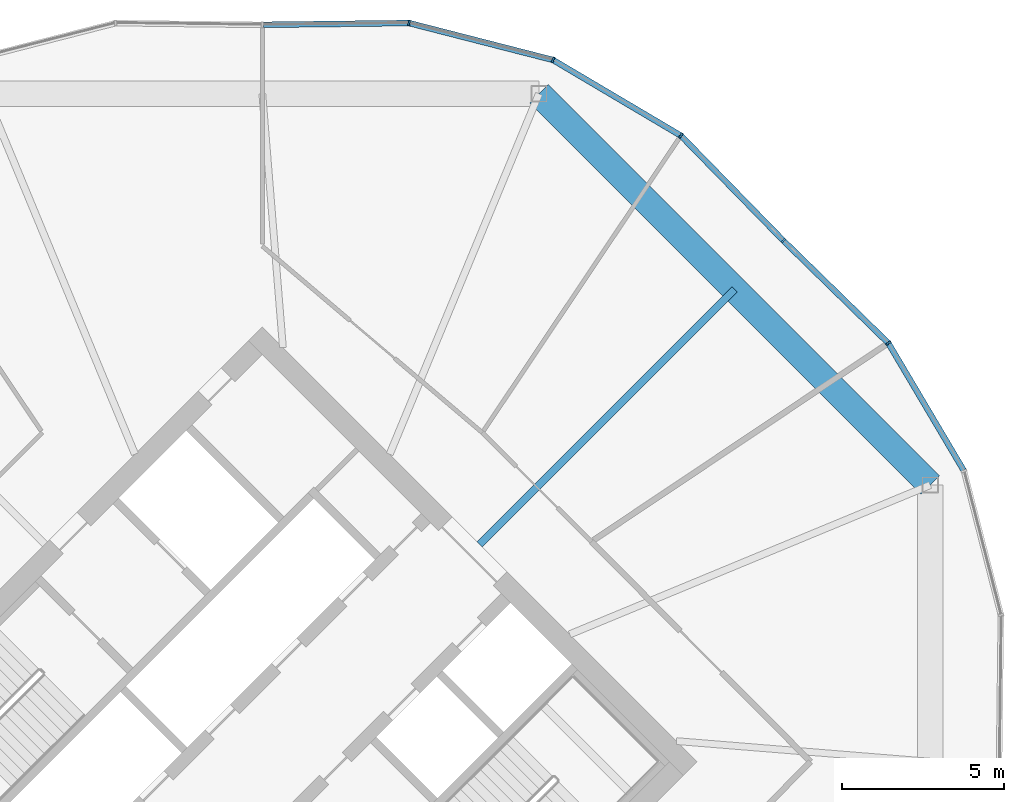
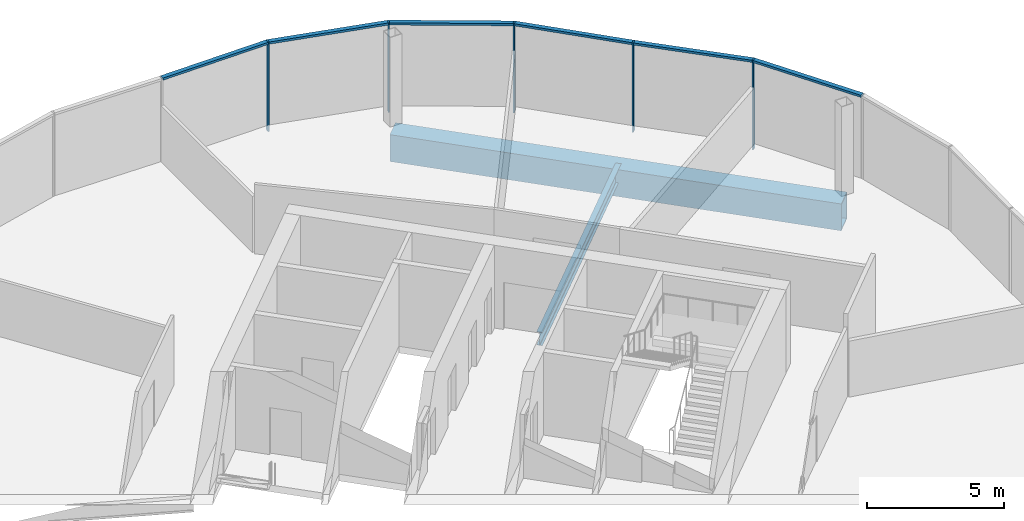
# One storey, part 16 of 25: 11 members, 2 beams, 2 elements without a shape of their own.
"""IFC4 building model written with IfcOpenShell, lengths in metres."""

from ifc_helpers import new_model, si_unit, direction, frame, origin, origin_2d, place, context, subcontext, project, spatial, rectangle, hollow_rectangle, i_section, extrude, material, material_profile, profile_set, type_object, element, aggregate, save


model = new_model("IFC4")

# Units and contexts
model_context = context("Model", 3, precision=1e-05, world=origin(), true_north=direction((0.0, 1.0)))
body_context = subcontext(model_context, "Body", "Model", "MODEL_VIEW")
ifc_project = project(units=[si_unit("LENGTHUNIT", "METRE"), si_unit("AREAUNIT", "SQUARE_METRE"), si_unit("VOLUMEUNIT", "CUBIC_METRE"), si_unit("PLANEANGLEUNIT", "RADIAN"), si_unit("MASSUNIT", "GRAM", prefix="KILO")], contexts=[model_context])

# Site, building, storey
site_placement = place(None, origin())
site = spatial("IfcSite", under=ifc_project, at=site_placement, CompositionType="ELEMENT")
building_placement = place(site_placement, origin())
building = spatial("IfcBuilding", under=site, at=building_placement, Name="Ogive Gate Towers", CompositionType="ELEMENT")
storey_placement = place(building_placement, frame((0.0, 0.0, 140.800048828125)))
storey = spatial("IfcBuildingStorey", under=building, at=storey_placement, Name="L33", CompositionType="ELEMENT", Elevation=140.800048828125)

# Beams
ifc_material_1 = material(Name="Steel SM460", Category="steel")
ifc_material_profile_1 = material_profile(ifc_material_1, hollow_rectangle(XDim=0.800048828125, YDim=1.199951171875, WallThickness=0.050048828125, at=origin_2d()), Name="BX 1200x800x50")
ifc_profile_set_1 = profile_set([ifc_material_profile_1], Name="Steel SM460")
beam_type_1 = type_object("IfcBeamType", Name="Edge girder BX 1200x800x50", PredefinedType="BEAM", material=ifc_profile_set_1)
beam_1_placement = place(storey_placement, frame((56.639404296875, 8.549072265625, -0.900146484375), z_axis=(-0.707106781187, 0.707106781187, 0.0), x_axis=(-0.707106781187, -0.707106781187, 0.0)))
element("IfcBeam", 1, at=beam_1_placement, inside=storey, type_object=beam_type_1, Name="T2/L33/SBM021", PredefinedType="BEAM", context=body_context, shape_type="SweptSolid", body=[
    extrude(hollow_rectangle(XDim=0.800048828125, YDim=1.199951171875, WallThickness=0.050048828125, at=origin_2d()), origin(), (0.0, 0.0, 1.0), 17.098388671875),
])
ifc_material_2 = material(Name="Steel SM355", Category="steel")
ifc_material_profile_2 = material_profile(ifc_material_2, i_section(OverallWidth=0.219970703125, OverallDepth=0.60009765625, WebThickness=0.011962890625, FlangeThickness=0.01904296875, FilletRadius=0.02392578125, at=origin_2d()), Name="IPE 600")
ifc_profile_set_2 = profile_set([ifc_material_profile_2], Name="Steel SM355")
beam_type_2 = type_object("IfcBeamType", Name="Radial floor beam IPE 600", PredefinedType="BEAM", material=ifc_profile_set_2)
beam_2_placement = place(storey_placement, frame((42.717529296875, 6.717529296875, -0.60009765625), z_axis=(0.707106781187, 0.707106781187, 0.0), x_axis=(-0.707106781187, 0.707106781187, 0.0)))
element("IfcBeam", 2, at=beam_2_placement, inside=storey, type_object=beam_type_2, Name="T2/L33/SBM010", PredefinedType="BEAM", context=body_context, shape_type="SweptSolid", body=[
    extrude(i_section(OverallWidth=0.219970703125, OverallDepth=0.60009765625, WebThickness=0.011962890625, FlangeThickness=0.01904296875, FilletRadius=0.02392578125, at=origin_2d()), origin(), (0.0, 0.0, 1.0), 11.139404296875),
])

# Curtain wall, members
ifc_material_3 = material(Name="Pale metal aluminium", Category="aluminium")
curtain_wall_type = type_object("IfcCurtainWallType", Name="Tower unitised wall, high zone", PredefinedType="NOTDEFINED", material=ifc_material_3)
curtain_wall_1_placement = place(storey_placement, origin())
curtain_wall_1 = element("IfcCurtainWall", 3, at=curtain_wall_1_placement, inside=storey, type_object=curtain_wall_type, Name="CW2 T2 ECW01", PredefinedType="NOTDEFINED")
ifc_material_profile_3 = material_profile(ifc_material_3, rectangle(XDim=0.179931640625, YDim=0.06005859375, at=origin_2d()), Name="60 x 180 aluminium box")
ifc_profile_set_3 = profile_set([ifc_material_profile_3], Name="Pale metal aluminium")
member_type_1 = type_object("IfcMemberType", Name="Tower unitised wall, high zone mullion 60 x 180", PredefinedType="MULLION", material=ifc_profile_set_3)
member_1_placement = place(storey_placement, frame((55.344970703125, 12.93408203125, -0.300048828125), z_axis=(0.0, 0.0, 1.0), x_axis=(0.786320782112, 0.617818442277, 0.0)))
member_1 = element("IfcMember", 4, at=member_1_placement, type_object=member_type_1, Name="CW2 mullion", PredefinedType="MULLION", context=body_context, shape_type="SweptSolid", body=[
    extrude(rectangle(XDim=0.179931640625, YDim=0.06005859375, at=origin_2d()), origin(), (0.0, 0.0, 1.0), 4.0),
])
member_2_placement = place(storey_placement, frame((52.100830078125, 16.1005859375, -0.300048828125), z_axis=(0.0, 0.0, 1.0), x_axis=(0.69851520818, 0.715595209557, 0.0)))
member_2 = element("IfcMember", 5, at=member_2_placement, type_object=member_type_1, Name="CW2 mullion", PredefinedType="MULLION", context=body_context, shape_type="SweptSolid", body=[
    extrude(rectangle(XDim=0.179931640625, YDim=0.06005859375, at=origin_2d()), origin(), (0.0, 0.0, 1.0), 4.0),
])

curtain_wall_2_placement = place(storey_placement, origin())
curtain_wall_2 = element("IfcCurtainWall", 6, at=curtain_wall_2_placement, inside=storey, type_object=curtain_wall_type, Name="CW2 T2 ECW02", PredefinedType="NOTDEFINED")
member_3_placement = place(storey_placement, frame((48.93408203125, 19.344970703125, -0.300048828125), z_axis=(0.0, 0.0, 1.0), x_axis=(0.617818442277, 0.786320782112, 0.0)))
member_3 = element("IfcMember", 7, at=member_3_placement, type_object=member_type_1, Name="CW2 mullion", PredefinedType="MULLION", context=body_context, shape_type="SweptSolid", body=[
    extrude(rectangle(XDim=0.179931640625, YDim=0.06005859375, at=origin_2d()), origin(), (0.0, 0.0, 1.0), 4.0),
])
member_4_placement = place(storey_placement, frame((44.98193359375, 21.684326171875, -0.300048828125), z_axis=(0.0, 0.0, 1.0), x_axis=(0.382683432365, 0.923879532511, 0.0)))
member_4 = element("IfcMember", 8, at=member_4_placement, type_object=member_type_1, Name="CW2 mullion", PredefinedType="MULLION", context=body_context, shape_type="SweptSolid", body=[
    extrude(rectangle(XDim=0.179931640625, YDim=0.06005859375, at=origin_2d()), origin(), (0.0, 0.0, 1.0), 4.0),
])
member_5_placement = place(storey_placement, frame((40.532958984375, 22.824951171875, -0.300048828125), z_axis=(0.0, 0.0, 1.0), x_axis=(0.119149147143, 0.992876367296, 0.0)))
member_5 = element("IfcMember", 9, at=member_5_placement, type_object=member_type_1, Name="CW2 mullion", PredefinedType="MULLION", context=body_context, shape_type="SweptSolid", body=[
    extrude(rectangle(XDim=0.179931640625, YDim=0.06005859375, at=origin_2d()), origin(), (0.0, 0.0, 1.0), 4.0),
])

# Member
ifc_material_profile_4 = material_profile(ifc_material_3, rectangle(XDim=0.179931640625, YDim=0.10009765625, at=origin_2d()), Name="100 x 180 aluminium box")
ifc_profile_set_4 = profile_set([ifc_material_profile_4], Name="Pale metal aluminium")
member_type_2 = type_object("IfcMemberType", Name="Tower unitised wall, high zone transom 100 x 180", PredefinedType="USERDEFINED", material=ifc_profile_set_4)
member_6_placement = place(storey_placement, frame((57.669677734375, 9.006591796875, 3.64990234375), z_axis=(-0.509356692799, 0.860555494725, 0.0), x_axis=(-0.860555494725, -0.509356692799, 0.0)))
member_6 = element("IfcMember", 10, at=member_6_placement, type_object=member_type_2, Name="CW2 transom", ObjectType="TRANSOM", PredefinedType="USERDEFINED", context=body_context, shape_type="SweptSolid", body=[
    extrude(rectangle(XDim=0.179931640625, YDim=0.10009765625, at=origin_2d()), origin(), (0.0, 0.0, 1.0), 4.53515625),
])

member_7_placement = place(storey_placement, frame((55.32421875, 12.9541015625, 3.64990234375), z_axis=(-0.715567063029, 0.698544041781, 0.0), x_axis=(-0.698544041781, -0.715567063029, 0.0)))
member_7 = element("IfcMember", 11, at=member_7_placement, type_object=member_type_2, Name="CW2 transom", ObjectType="TRANSOM", PredefinedType="USERDEFINED", context=body_context, shape_type="SweptSolid", body=[
    extrude(rectangle(XDim=0.179931640625, YDim=0.10009765625, at=origin_2d()), origin(), (0.0, 0.0, 1.0), 4.474609375),
])

aggregate(curtain_wall_1, [member_1, member_6, member_2, member_7])

member_8_placement = place(storey_placement, frame((52.079833984375, 16.122314453125, 3.64990234375), z_axis=(-0.698544041781, 0.715567063029, 0.0), x_axis=(-0.715567063029, -0.698544041781, 0.0)))
member_8 = element("IfcMember", 12, at=member_8_placement, type_object=member_type_2, Name="CW2 transom", ObjectType="TRANSOM", PredefinedType="USERDEFINED", context=body_context, shape_type="SweptSolid", body=[
    extrude(rectangle(XDim=0.179931640625, YDim=0.10009765625, at=origin_2d()), origin(), (0.0, 0.0, 1.0), 4.474609375),
])

member_9_placement = place(storey_placement, frame((48.909423828125, 19.359619140625, 3.64990234375), z_axis=(-0.860555494725, 0.509356692799, 0.0), x_axis=(-0.509356692799, -0.860555494725, 0.0)))
member_9 = element("IfcMember", 13, at=member_9_placement, type_object=member_type_2, Name="CW2 transom", ObjectType="TRANSOM", PredefinedType="USERDEFINED", context=body_context, shape_type="SweptSolid", body=[
    extrude(rectangle(XDim=0.179931640625, YDim=0.10009765625, at=origin_2d()), origin(), (0.0, 0.0, 1.0), 4.53515625),
])

member_10_placement = place(storey_placement, frame((44.954345703125, 21.69140625, 3.64990234375), z_axis=(-0.968681463012, 0.248306711985, 0.0), x_axis=(-0.248306711985, -0.968681463012, 0.0)))
member_10 = element("IfcMember", 14, at=member_10_placement, type_object=member_type_2, Name="CW2 transom", ObjectType="TRANSOM", PredefinedType="USERDEFINED", context=body_context, shape_type="SweptSolid", body=[
    extrude(rectangle(XDim=0.179931640625, YDim=0.10009765625, at=origin_2d()), origin(), (0.0, 0.0, 1.0), 4.53564453125),
])

member_11_placement = place(storey_placement, frame((40.50439453125, 22.824462890625, 3.64990234375), z_axis=(-0.999927301671, -0.012057834543, 0.0), x_axis=(0.012057834543, -0.999927301671, 0.0)))
member_11 = element("IfcMember", 15, at=member_11_placement, type_object=member_type_2, Name="CW2 transom", ObjectType="TRANSOM", PredefinedType="USERDEFINED", context=body_context, shape_type="SweptSolid", body=[
    extrude(rectangle(XDim=0.179931640625, YDim=0.10009765625, at=origin_2d()), origin(), (0.0, 0.0, 1.0), 4.474609375),
])

aggregate(curtain_wall_2, [member_3, member_8, member_4, member_9, member_5, member_10, member_11])

save(model, "model.ifc")
